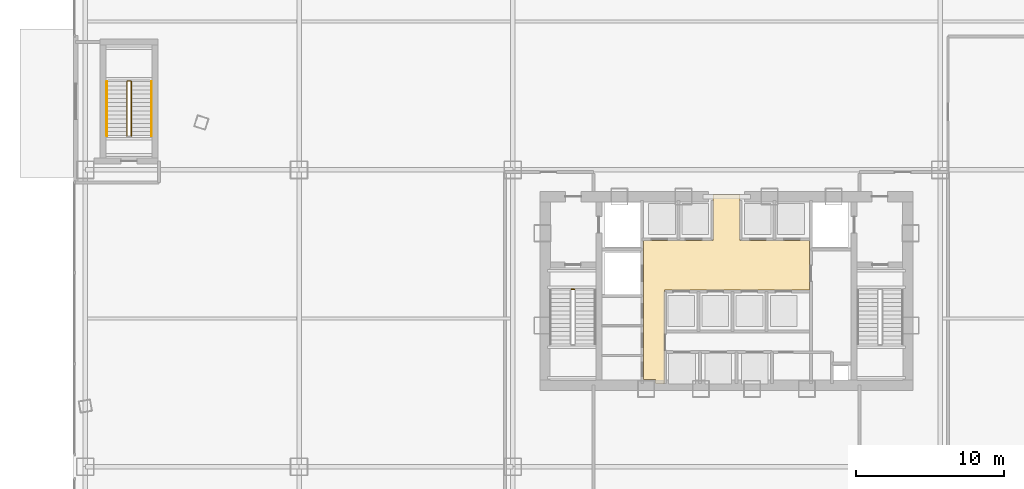
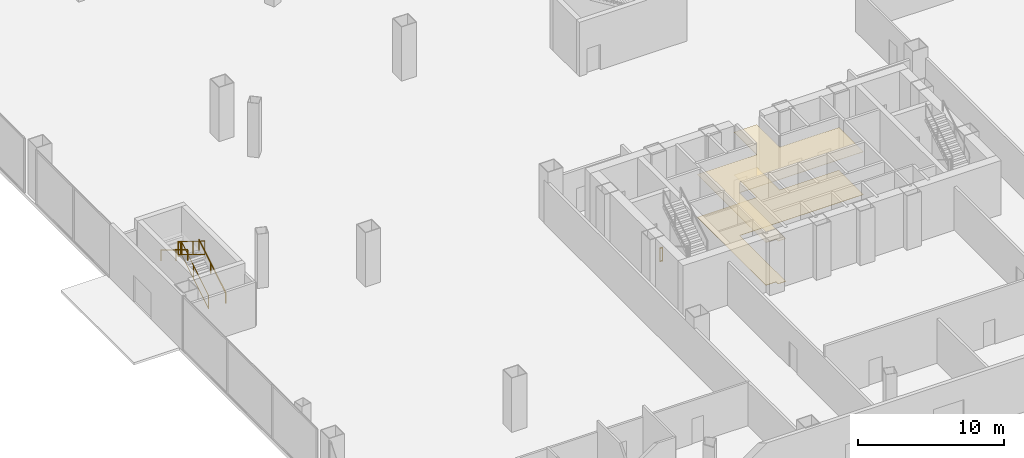
# One storey, part 55 of 58: 6 railings, 2 coverings.
"""IFC4 building model written with IfcOpenShell, lengths in metres."""

from ifc_helpers import new_model, si_unit, direction, frame, origin, origin_2d, place, context, subcontext, project, spatial, polyline, rectangle, outline, extrude, material, layer, layer_set, type_object, element, save


model = new_model("IFC4")

# Units and contexts
model_context = context("Model", 3, precision=1e-05, world=origin(), true_north=direction((0.0, 1.0)))
body_context = subcontext(model_context, "Body", "Model", "MODEL_VIEW")
ifc_project = project(units=[si_unit("LENGTHUNIT", "METRE"), si_unit("AREAUNIT", "SQUARE_METRE"), si_unit("VOLUMEUNIT", "CUBIC_METRE"), si_unit("PLANEANGLEUNIT", "RADIAN"), si_unit("MASSUNIT", "GRAM", prefix="KILO"), si_unit("THERMODYNAMICTEMPERATUREUNIT", "KELVIN"), si_unit("POWERUNIT", "WATT")], contexts=[model_context])

# Site, building, storey
site_placement = place(None, origin())
site = spatial("IfcSite", under=ifc_project, at=site_placement, CompositionType="ELEMENT")
building_placement = place(site_placement, origin())
building = spatial("IfcBuilding", under=site, at=building_placement, Name="Yunzhuo Pagoda Commons", CompositionType="ELEMENT")
storey_placement = place(building_placement, origin())
storey = spatial("IfcBuildingStorey", under=building, at=storey_placement, Name="L01", CompositionType="ELEMENT", Elevation=0.0)

# Coverings
ifc_material_1 = material(Name="Mineral fibre acoustic ceiling board")
ifc_layer_1 = layer(ifc_material_1, 0.02490234375)
ifc_layer_set_1 = layer_set([ifc_layer_1], Name="Mineral fibre acoustic ceiling board")
covering_type_1 = type_object("IfcCoveringType", Name="COV-CL1 Ceiling 25", PredefinedType="CEILING", material=ifc_layer_set_1)
covering_1_placement = place(storey_placement, frame((0.0, 0.0, 3.570068359375)))
element("IfcCovering", 1, at=covering_1_placement, inside=storey, type_object=covering_type_1, Name="L01 lift lobby acoustic ceiling", PredefinedType="CEILING", context=body_context, shape_type="SweptSolid", body=[
    extrude(outline(polyline([(43.207763671875, 27.85009765625), (43.201904296875, 27.864013671875), (43.187744140625, 27.8701171875), (42.39990234375, 27.8701171875), (42.39990234375, 33.89990234375), (42.39990234375, 37.25), (47.10009765625, 37.25), (47.10009765625, 40.35009765625), (48.89990234375, 40.35009765625), (48.89990234375, 37.25), (53.580078125, 37.25), (53.580078125, 33.89990234375), (43.820068359375, 33.89990234375), (43.820068359375, 27.60009765625), (43.207763671875, 27.60009765625), (43.207763671875, 27.85009765625)])), origin(), (0.0, 0.0, 1.0), 0.02490234375),
])
ifc_material_2 = material(Name="Terrazzo stone lobby flooring", Category="masonry")
ifc_layer_2 = layer(ifc_material_2, 0.02392578125)
ifc_layer_set_2 = layer_set([ifc_layer_2], Name="Terrazzo stone lobby flooring")
covering_type_2 = type_object("IfcCoveringType", Name="COV-FL2 Flooring 24", PredefinedType="FLOORING", material=ifc_layer_set_2)
covering_2_placement = place(storey_placement, origin())
element("IfcCovering", 2, at=covering_2_placement, inside=storey, type_object=covering_type_2, Name="L01 lift lobby flooring", PredefinedType="FLOORING", context=body_context, shape_type="SweptSolid", body=[
    extrude(outline(polyline([(43.207763671875, 27.85009765625), (43.201904296875, 27.864013671875), (43.187744140625, 27.8701171875), (42.39990234375, 27.8701171875), (42.39990234375, 33.89990234375), (42.39990234375, 37.25), (47.10009765625, 37.25), (47.10009765625, 40.35009765625), (48.89990234375, 40.35009765625), (48.89990234375, 37.25), (53.580078125, 37.25), (53.580078125, 33.89990234375), (43.820068359375, 33.89990234375), (43.820068359375, 27.60009765625), (43.207763671875, 27.60009765625), (43.207763671875, 27.85009765625)])), origin(), (0.0, 0.0, 1.0), 0.02392578125),
])

# Railings
ifc_material_3 = material(Name="Anodized aluminium 6063-T6", Category="aluminium")
railing_type_1 = type_object("IfcRailingType", Name="GR-PS3 Podium Well Guardrail 1150", PredefinedType="GUARDRAIL", material=ifc_material_3)
railing_1_placement = place(storey_placement, frame((7.89990234375, 44.300048828125, 0.17138671875)))
element("IfcRailing", 3, at=railing_1_placement, inside=storey, type_object=railing_type_1, Name="L01 PS3 stair guard 1", PredefinedType="GUARDRAIL", context=body_context, shape_type="SweptSolid", body=[
    extrude(rectangle(XDim=0.048095703125, YDim=0.048095703125, at=origin_2d()), frame((0.0, 0.0, 1.1259765625), z_axis=(0.0, 0.852850264322, 0.5221555579), x_axis=(-1.0, 0.0, 0.0)), (0.0, 0.0, 1.0), 4.267822265625),
    extrude(rectangle(XDim=0.048095703125, YDim=0.048095703125, at=origin_2d()), frame((0.0, 0.0, 0.02392578125), z_axis=(0.0, 0.852850264322, 0.5221555579), x_axis=(-1.0, 0.0, 0.0)), (0.0, 0.0, 1.0), 4.267822265625),
    extrude(rectangle(XDim=0.0419921875, YDim=0.0419921875, at=origin_2d()), origin(), (0.0, 0.0, 1.0), 1.101806640625),
    extrude(rectangle(XDim=0.0419921875, YDim=0.0419921875, at=origin_2d()), frame((0.0, 2.046875, 1.253173828125)), (0.0, 0.0, 1.0), 1.101806640625),
    extrude(rectangle(XDim=0.0419921875, YDim=0.0419921875, at=origin_2d()), frame((0.0, 3.639892578125, 2.228515625)), (0.0, 0.0, 1.0), 1.101806640625),
])
railing_2_placement = place(storey_placement, frame((7.85009765625, 47.989990234375, 2.39990234375)))
element("IfcRailing", 4, at=railing_2_placement, inside=storey, type_object=railing_type_1, Name="L01 PS3 stair guard 2", PredefinedType="GUARDRAIL", context=body_context, shape_type="SweptSolid", body=[
    extrude(rectangle(XDim=0.048095703125, YDim=0.048095703125, at=origin_2d()), frame((0.0, 0.0, 1.1259765625), z_axis=(-1.0, 0.0, 0.0), x_axis=(0.0, -1.0, 0.0)), (0.0, 0.0, 1.0), 0.2001953125),
    extrude(rectangle(XDim=0.048095703125, YDim=0.048095703125, at=origin_2d()), frame((0.0, 0.0, 0.02392578125), z_axis=(-1.0, 0.0, 0.0), x_axis=(0.0, -1.0, 0.0)), (0.0, 0.0, 1.0), 0.2001953125),
    extrude(rectangle(XDim=0.0419921875, YDim=0.0419921875, at=origin_2d()), origin(), (0.0, 0.0, 1.0), 1.101806640625),
    extrude(rectangle(XDim=0.0419921875, YDim=0.0419921875, at=origin_2d()), frame((-0.2001953125, 0.0, 0.0)), (0.0, 0.0, 1.0), 1.101806640625),
])
railing_3_placement = place(storey_placement, frame((7.60009765625, 47.93994140625, 2.571533203125)))
element("IfcRailing", 5, at=railing_3_placement, inside=storey, type_object=railing_type_1, Name="L01 PS3 stair guard 3", PredefinedType="GUARDRAIL", context=body_context, shape_type="SweptSolid", body=[
    extrude(rectangle(XDim=0.048095703125, YDim=0.048095703125, at=origin_2d()), frame((0.0, 0.0, 1.1259765625), z_axis=(0.0, -0.852850264322, 0.5221555579), x_axis=(1.0, 0.0, 0.0)), (0.0, 0.0, 1.0), 4.267822265625),
    extrude(rectangle(XDim=0.048095703125, YDim=0.048095703125, at=origin_2d()), frame((0.0, 0.0, 0.02392578125), z_axis=(0.0, -0.852850264322, 0.5221555579), x_axis=(1.0, 0.0, 0.0)), (0.0, 0.0, 1.0), 4.267822265625),
    extrude(rectangle(XDim=0.0419921875, YDim=0.0419921875, at=origin_2d()), origin(), (0.0, 0.0, 1.0), 1.101806640625),
    extrude(rectangle(XDim=0.0419921875, YDim=0.0419921875, at=origin_2d()), frame((0.0, -2.046875, 1.253173828125)), (0.0, 0.0, 1.0), 1.101806640625),
    extrude(rectangle(XDim=0.0419921875, YDim=0.0419921875, at=origin_2d()), frame((0.0, -3.639892578125, 2.228515625)), (0.0, 0.0, 1.0), 1.101806640625),
])
railing_type_2 = type_object("IfcRailingType", Name="GR-ST1 Stair Well Guardrail 1150", PredefinedType="GUARDRAIL", material=ifc_material_3)
railing_4_placement = place(storey_placement, frame((37.550048828125, 33.949951171875, 0.0)))
element("IfcRailing", 6, at=railing_4_placement, inside=storey, type_object=railing_type_2, Name="L01 ST1 stair guard 4", PredefinedType="GUARDRAIL", context=body_context, shape_type="SweptSolid", body=[
    extrude(rectangle(XDim=0.048095703125, YDim=0.048095703125, at=origin_2d()), frame((0.0, 0.0, 1.1259765625), z_axis=(1.0, 0.0, 0.0), x_axis=(0.0, 1.0, 0.0)), (0.0, 0.0, 1.0), 0.199951171875),
    extrude(rectangle(XDim=0.048095703125, YDim=0.048095703125, at=origin_2d()), frame((0.0, 0.0, 0.02392578125), z_axis=(1.0, 0.0, 0.0), x_axis=(0.0, 1.0, 0.0)), (0.0, 0.0, 1.0), 0.199951171875),
    extrude(rectangle(XDim=0.0419921875, YDim=0.0419921875, at=origin_2d()), origin(), (0.0, 0.0, 1.0), 1.101806640625),
    extrude(rectangle(XDim=0.0419921875, YDim=0.0419921875, at=origin_2d()), frame((0.199951171875, 0.0, 0.0)), (0.0, 0.0, 1.0), 1.101806640625),
])
railing_type_3 = type_object("IfcRailingType", Name="HR-PS3 Podium Stair Handrail 900", PredefinedType="HANDRAIL", material=ifc_material_3)
railing_5_placement = place(storey_placement, frame((9.25, 44.300048828125, 0.17138671875)))
element("IfcRailing", 7, at=railing_5_placement, inside=storey, type_object=railing_type_3, Name="L01 PS3 stair handrail 1", PredefinedType="HANDRAIL", context=body_context, shape_type="SweptSolid", body=[
    extrude(rectangle(XDim=0.048095703125, YDim=0.048095703125, at=origin_2d()), frame((0.0, 0.0, 0.8759765625), z_axis=(0.0, 0.852850264322, 0.5221555579), x_axis=(-1.0, 0.0, 0.0)), (0.0, 0.0, 1.0), 4.267822265625),
    extrude(rectangle(XDim=0.0419921875, YDim=0.0419921875, at=origin_2d()), origin(), (0.0, 0.0, 1.0), 0.851806640625),
    extrude(rectangle(XDim=0.0419921875, YDim=0.0419921875, at=origin_2d()), frame((0.0, 2.046875, 1.253173828125)), (0.0, 0.0, 1.0), 0.851806640625),
    extrude(rectangle(XDim=0.0419921875, YDim=0.0419921875, at=origin_2d()), frame((0.0, 3.639892578125, 2.228515625)), (0.0, 0.0, 1.0), 0.851806640625),
])
railing_6_placement = place(storey_placement, frame((6.25, 47.93994140625, 2.571533203125)))
element("IfcRailing", 8, at=railing_6_placement, inside=storey, type_object=railing_type_3, Name="L01 PS3 stair handrail 2", PredefinedType="HANDRAIL", context=body_context, shape_type="SweptSolid", body=[
    extrude(rectangle(XDim=0.048095703125, YDim=0.048095703125, at=origin_2d()), frame((0.0, 0.0, 0.8759765625), z_axis=(0.0, -0.852850264322, 0.5221555579), x_axis=(1.0, 0.0, 0.0)), (0.0, 0.0, 1.0), 4.267822265625),
    extrude(rectangle(XDim=0.0419921875, YDim=0.0419921875, at=origin_2d()), origin(), (0.0, 0.0, 1.0), 0.851806640625),
    extrude(rectangle(XDim=0.0419921875, YDim=0.0419921875, at=origin_2d()), frame((0.0, -2.046875, 1.253173828125)), (0.0, 0.0, 1.0), 0.851806640625),
    extrude(rectangle(XDim=0.0419921875, YDim=0.0419921875, at=origin_2d()), frame((0.0, -3.639892578125, 2.228515625)), (0.0, 0.0, 1.0), 0.851806640625),
])

save(model, "model.ifc")
